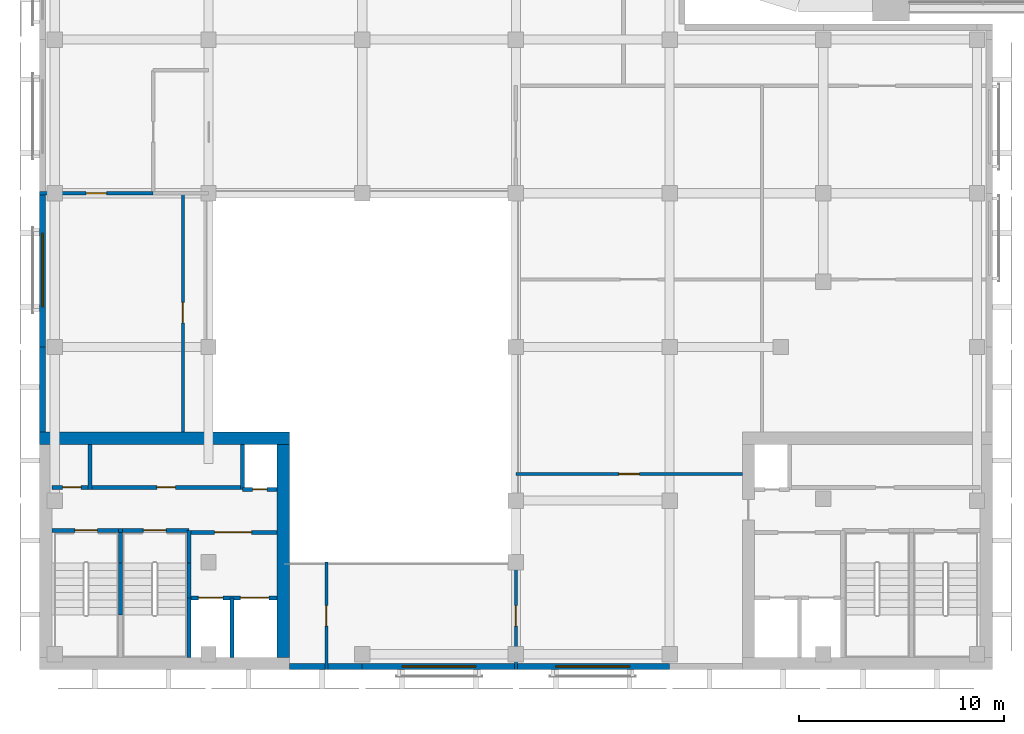
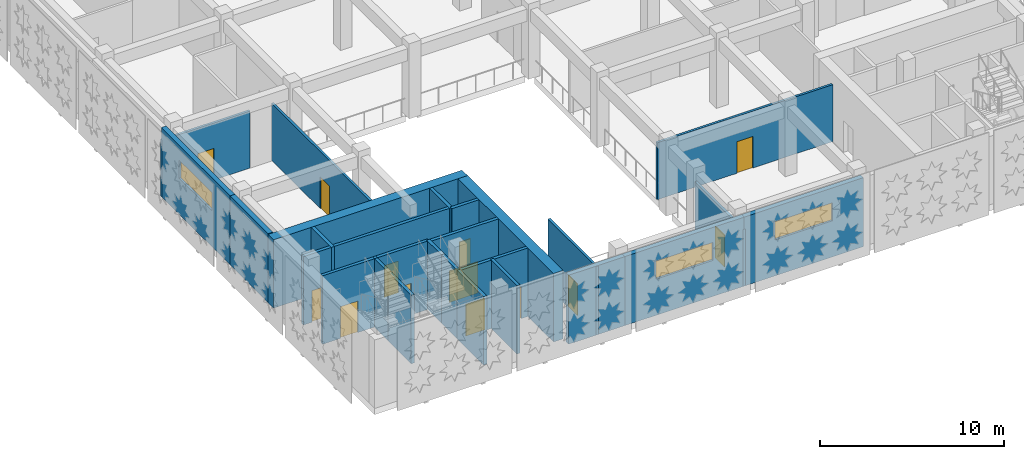
# One storey, part 14 of 40: 27 walls, 13 doors, 3 windows, 16 openings.
"""IFC4 building model written with IfcOpenShell, lengths in metres."""

from ifc_helpers import new_model, si_unit, direction, frame, frame_2d, origin, place, context, subcontext, project, spatial, rectangle, extrude, material, layer, layer_set, type_object, element, fill, save


model = new_model("IFC4")

# Units and contexts
model_context = context("Model", 3, precision=1e-05, world=origin(), true_north=direction((0.0, 1.0)))
body_context = subcontext(model_context, "Body", "Model", "MODEL_VIEW")
ifc_project = project(units=[si_unit("LENGTHUNIT", "METRE"), si_unit("AREAUNIT", "SQUARE_METRE"), si_unit("VOLUMEUNIT", "CUBIC_METRE"), si_unit("PLANEANGLEUNIT", "RADIAN"), si_unit("MASSUNIT", "GRAM", prefix="KILO")], contexts=[model_context])

# Site, building, storey
site_placement = place(None, origin())
site = spatial("IfcSite", under=ifc_project, at=site_placement, CompositionType="ELEMENT")
building_placement = place(site_placement, origin())
building = spatial("IfcBuilding", under=site, at=building_placement, Name="Tessera Arch", CompositionType="ELEMENT")
storey_placement = place(building_placement, frame((0.0, 0.0, 21.0)))
storey = spatial("IfcBuildingStorey", under=building, at=storey_placement, Name="L03", CompositionType="ELEMENT", Elevation=21.0)

# Wall
ifc_material_1 = material(Name="Gypsum board on steel stud", Category="steel")
ifc_layer_1 = layer(ifc_material_1, 0.125)
ifc_layer_set_1 = layer_set([ifc_layer_1], Name="Core partition 125 EI 60")
wall_type_1 = type_object("IfcWallType", Name="Core partition 125 EI 60", PredefinedType="PARTITIONING", material=ifc_layer_set_1)
wall_1_placement = place(storey_placement, frame((-30.090087890625, -23.75, 0.0), z_axis=(0.0, 0.0, 1.0), x_axis=(0.0, 1.0, 0.0)))
element("IfcWall", 1, at=wall_1_placement, inside=storey, type_object=wall_type_1, Name="L03 M2 partition wall 1", PredefinedType="PARTITIONING", context=body_context, shape_type="SweptSolid", body=[
    extrude(rectangle(XDim=2.199951171875, YDim=0.199951171875, at=frame_2d((1.10009765625, 0.0))), origin(), (0.0, 0.0, 1.0), 4.550048828125),
])

# Wall, opening, door
wall_2_placement = place(storey_placement, frame((-25.25, -25.85009765625, 0.0), z_axis=(0.0, 0.0, 1.0), x_axis=(1.0, 0.0, 0.0)))
wall_2 = element("IfcWall", 2, at=wall_2_placement, inside=storey, type_object=wall_type_1, Name="L03 M2 partition wall 11", PredefinedType="PARTITIONING", context=body_context, shape_type="SweptSolid", body=[
    extrude(rectangle(XDim=4.300048828125, YDim=0.199951171875, at=frame_2d((2.14990234375, 0.0))), origin(), (0.0, 0.0, 1.0), 4.550048828125),
])
opening_1_placement = place(wall_2_placement, frame((1.25, 0.0, 0.0)))
opening_1 = element("IfcOpeningElement", 3, at=opening_1_placement, cuts=wall_2, Name="Opening L03-C57", PredefinedType="OPENING", context=body_context, shape_type="SweptSolid", body=[
    extrude(rectangle(XDim=1.800048828125, YDim=2.10009765625, at=frame_2d((0.89990234375, 1.050048828125))), frame((0.0, 0.10986328125, 0.0), z_axis=(0.0, -1.0, 0.0), x_axis=(1.0, 0.0, 0.0)), (0.0, 0.0, 1.0), 0.219970703125),
])
ifc_material_2 = material(Name="Glazed steel door leaf", Category="steel")
door_type_1 = type_object("IfcDoorType", Name="Lobby double door FD30S 1800 x 2100", OperationType="DOUBLE_DOOR_SINGLE_SWING", PredefinedType="DOOR", material=ifc_material_2)
door_1_placement = place(opening_1_placement, origin())
door_1 = element("IfcDoor", 4, at=door_1_placement, inside=storey, type_object=door_type_1, Name="L03 M2 door 5 C57 type D06", OperationType="DOUBLE_DOOR_SINGLE_SWING", OverallHeight=2.10009765625, OverallWidth=1.800048828125, PredefinedType="DOOR", context=body_context, shape_type="SweptSolid", body=[
    extrude(rectangle(XDim=1.800048828125, YDim=2.10009765625, at=frame_2d((0.89990234375, 1.050048828125))), frame((0.0, 0.02490234375, 0.0), z_axis=(0.0, -1.0, 0.0), x_axis=(1.0, 0.0, 0.0)), (0.0, 0.0, 1.0), 0.050048828125),
])
fill(opening_1, door_1)

# Wall, openings, doors
wall_3_placement = place(storey_placement, frame((-31.949951171875, -23.64990234375, 0.0), z_axis=(0.0, 0.0, 1.0), x_axis=(1.0, 0.0, 0.0)))
wall_3 = element("IfcWall", 5, at=wall_3_placement, inside=storey, type_object=wall_type_1, Name="L03 M2 partition wall 15", PredefinedType="PARTITIONING", context=body_context, shape_type="SweptSolid", body=[
    extrude(rectangle(XDim=9.300048828125, YDim=0.199951171875, at=frame_2d((4.64990234375, 0.0))), origin(), (0.0, 0.0, 1.0), 4.550048828125),
])
opening_2_placement = place(wall_3_placement, frame((0.530029296875, 0.0, 0.0)))
opening_2 = element("IfcOpeningElement", 6, at=opening_2_placement, cuts=wall_3, Name="Opening L03-C59", PredefinedType="OPENING", context=body_context, shape_type="SweptSolid", body=[
    extrude(rectangle(XDim=0.89990234375, YDim=2.10009765625, at=frame_2d((0.449951171875, 1.050048828125))), frame((0.0, 0.10986328125, 0.0), z_axis=(0.0, -1.0, 0.0), x_axis=(1.0, 0.0, 0.0)), (0.0, 0.0, 1.0), 0.219970703125),
])
opening_3_placement = place(wall_3_placement, frame((5.1298828125, 0.0, 0.0)))
opening_3 = element("IfcOpeningElement", 7, at=opening_3_placement, cuts=wall_3, Name="Opening L03-C60", PredefinedType="OPENING", context=body_context, shape_type="SweptSolid", body=[
    extrude(rectangle(XDim=0.89990234375, YDim=2.10009765625, at=frame_2d((0.449951171875, 1.050048828125))), frame((0.0, 0.10986328125, 0.0), z_axis=(0.0, -1.0, 0.0), x_axis=(1.0, 0.0, 0.0)), (0.0, 0.0, 1.0), 0.219970703125),
])
ifc_material_3 = material(Name="Steel door leaf", Category="steel")
door_type_2 = type_object("IfcDoorType", Name="Store door FD30S 900 x 2100", OperationType="SINGLE_SWING_LEFT", PredefinedType="DOOR", material=ifc_material_3)
door_2_placement = place(opening_2_placement, origin())
door_2 = element("IfcDoor", 8, at=door_2_placement, inside=storey, type_object=door_type_2, Name="L03 M2 door 7 C59 type D09", OperationType="SINGLE_SWING_LEFT", OverallHeight=2.10009765625, OverallWidth=0.89990234375, PredefinedType="DOOR", context=body_context, shape_type="SweptSolid", body=[
    extrude(rectangle(XDim=0.89990234375, YDim=2.10009765625, at=frame_2d((0.449951171875, 1.050048828125))), frame((0.0, 0.02490234375, 0.0), z_axis=(0.0, -1.0, 0.0), x_axis=(1.0, 0.0, 0.0)), (0.0, 0.0, 1.0), 0.050048828125),
])
fill(opening_2, door_2)
door_3_placement = place(opening_3_placement, origin())
door_3 = element("IfcDoor", 9, at=door_3_placement, inside=storey, type_object=door_type_2, Name="L03 M2 door 8 C60 type D09", OperationType="SINGLE_SWING_RIGHT", OverallHeight=2.10009765625, OverallWidth=0.89990234375, PredefinedType="DOOR", context=body_context, shape_type="SweptSolid", body=[
    extrude(rectangle(XDim=0.89990234375, YDim=2.10009765625, at=frame_2d((0.449951171875, 1.050048828125))), frame((0.0, 0.02490234375, 0.0), z_axis=(0.0, -1.0, 0.0), x_axis=(1.0, 0.0, 0.0)), (0.0, 0.0, 1.0), 0.050048828125),
])
fill(opening_3, door_3)

# Walls
ifc_material_4 = material(Name="Concrete C70/85", Category="concrete")
ifc_layer_2 = layer(ifc_material_4, 0.60009765625)
ifc_layer_set_2 = layer_set([ifc_layer_2], Name="Core shell wall 600 C70-85")
wall_type_2 = type_object("IfcWallType", Name="Core shell wall 600 C70-85", PredefinedType="SHEAR", material=ifc_layer_set_2)
wall_4_placement = place(storey_placement, frame((-32.550048828125, -21.25, 0.0), z_axis=(0.0, 0.0, 1.0), x_axis=(1.0, 0.0, 0.0)))
element("IfcWall", 10, at=wall_4_placement, inside=storey, type_object=wall_type_2, Name="L03 M2 core wall N", PredefinedType="SHEAR", context=body_context, shape_type="SweptSolid", body=[
    extrude(rectangle(XDim=12.199951171875, YDim=0.60009765625, at=frame_2d((6.10009765625, 0.0))), origin(), (0.0, 0.0, 1.0), 4.550048828125),
])
wall_5_placement = place(storey_placement, frame((-20.64990234375, -31.949951171875, 0.0), z_axis=(0.0, 0.0, 1.0), x_axis=(0.0, 1.0, 0.0)))
element("IfcWall", 11, at=wall_5_placement, inside=storey, type_object=wall_type_2, Name="L03 M2 core wall E", PredefinedType="SHEAR", context=body_context, shape_type="SweptSolid", body=[
    extrude(rectangle(XDim=10.39990234375, YDim=0.60009765625, at=frame_2d((5.199951171875, 0.0))), origin(), (0.0, 0.0, 1.0), 4.550048828125),
])
ifc_material_5 = material(Name="Aluminium cladding pale metal anodised", Category="aluminium")
ifc_layer_3 = layer(ifc_material_5, 0.300048828125)
ifc_layer_set_3 = layer_set([ifc_layer_3], Name="Museum envelope wall pale metal")
wall_type_3 = type_object("IfcWallType", Name="Museum envelope wall pale metal", PredefinedType="SOLIDWALL", material=ifc_layer_set_3)
wall_6_placement = place(storey_placement, frame((-20.35009765625, -32.39990234375, 0.0), z_axis=(0.0, 0.0, 1.0), x_axis=(1.0, 0.0, 0.0)))
element("IfcWall", 12, at=wall_6_placement, inside=storey, type_object=wall_type_3, Name="Museum external wall pale metal mashrabiya pattern", PredefinedType="SOLIDWALL", context=body_context, shape_type="SweptSolid", body=[
    extrude(rectangle(XDim=3.550048828125, YDim=0.300048828125, at=frame_2d((1.77490234375, 0.0))), origin(), (0.0, 0.0, 1.0), 4.590087890625),
])

# Wall, opening, window
wall_7_placement = place(storey_placement, frame((-16.800048828125, -32.39990234375, 0.0), z_axis=(0.0, 0.0, 1.0), x_axis=(1.0, 0.0, 0.0)))
wall_7 = element("IfcWall", 13, at=wall_7_placement, inside=storey, type_object=wall_type_3, Name="Museum external wall pale metal mashrabiya pattern", PredefinedType="SOLIDWALL", context=body_context, shape_type="SweptSolid", body=[
    extrude(rectangle(XDim=7.5, YDim=0.300048828125, at=frame_2d((3.75, 0.0))), origin(), (0.0, 0.0, 1.0), 4.590087890625),
])
opening_4_placement = place(wall_7_placement, frame((1.949951171875, 0.0, 2.39990234375)))
opening_4 = element("IfcOpeningElement", 14, at=opening_4_placement, cuts=wall_7, Name="Opening L03-MV40", PredefinedType="OPENING", context=body_context, shape_type="SweptSolid", body=[
    extrude(rectangle(XDim=3.60009765625, YDim=1.199951171875, at=frame_2d((1.800048828125, 0.60009765625))), frame((0.0, 0.159912109375, 0.0), z_axis=(0.0, -1.0, 0.0), x_axis=(1.0, 0.0, 0.0)), (0.0, 0.0, 1.0), 0.320068359375),
])
ifc_material_6 = material(Name="Clear low-e glass in aluminium frame", Category="aluminium")
window_type = type_object("IfcWindowType", Name="Museum clerestory window", PartitioningType="SINGLE_PANEL", PredefinedType="WINDOW", material=ifc_material_6)
window_1_placement = place(opening_4_placement, origin())
window_1 = element("IfcWindow", 15, at=window_1_placement, inside=storey, type_object=window_type, Name="Museum window L03 1-4", OverallHeight=1.199951171875, OverallWidth=3.60009765625, PartitioningType="SINGLE_PANEL", PredefinedType="WINDOW", context=body_context, shape_type="SweptSolid", body=[
    extrude(rectangle(XDim=3.60009765625, YDim=1.199951171875, at=frame_2d((1.800048828125, 0.60009765625))), frame((0.0, 0.030029296875, 0.0), z_axis=(0.0, -1.0, 0.0), x_axis=(1.0, 0.0, 0.0)), (0.0, 0.0, 1.0), 0.06005859375),
])
fill(opening_4, window_1)

wall_8_placement = place(storey_placement, frame((-9.300048828125, -32.39990234375, 0.0), z_axis=(0.0, 0.0, 1.0), x_axis=(1.0, 0.0, 0.0)))
wall_8 = element("IfcWall", 16, at=wall_8_placement, inside=storey, type_object=wall_type_3, Name="Museum external wall pale metal mashrabiya pattern", PredefinedType="SOLIDWALL", context=body_context, shape_type="SweptSolid", body=[
    extrude(rectangle(XDim=7.5, YDim=0.300048828125, at=frame_2d((3.75, 0.0))), origin(), (0.0, 0.0, 1.0), 4.590087890625),
])
opening_5_placement = place(wall_8_placement, frame((1.949951171875, 0.0, 2.39990234375)))
opening_5 = element("IfcOpeningElement", 17, at=opening_5_placement, cuts=wall_8, Name="Opening L03-MV41", PredefinedType="OPENING", context=body_context, shape_type="SweptSolid", body=[
    extrude(rectangle(XDim=3.60009765625, YDim=1.199951171875, at=frame_2d((1.800048828125, 0.60009765625))), frame((0.0, 0.159912109375, 0.0), z_axis=(0.0, -1.0, 0.0), x_axis=(1.0, 0.0, 0.0)), (0.0, 0.0, 1.0), 0.320068359375),
])
window_2_placement = place(opening_5_placement, origin())
window_2 = element("IfcWindow", 18, at=window_2_placement, inside=storey, type_object=window_type, Name="Museum window L03 1-5", OverallHeight=1.199951171875, OverallWidth=3.60009765625, PartitioningType="SINGLE_PANEL", PredefinedType="WINDOW", context=body_context, shape_type="SweptSolid", body=[
    extrude(rectangle(XDim=3.60009765625, YDim=1.199951171875, at=frame_2d((1.800048828125, 0.60009765625))), frame((0.0, 0.030029296875, 0.0), z_axis=(0.0, -1.0, 0.0), x_axis=(1.0, 0.0, 0.0)), (0.0, 0.0, 1.0), 0.06005859375),
])
fill(opening_5, window_2)

wall_9_placement = place(storey_placement, frame((-32.39990234375, -9.300048828125, 0.0), z_axis=(0.0, 0.0, 1.0), x_axis=(0.0, -1.0, 0.0)))
wall_9 = element("IfcWall", 19, at=wall_9_placement, inside=storey, type_object=wall_type_3, Name="Museum external wall pale metal mashrabiya pattern", PredefinedType="SOLIDWALL", context=body_context, shape_type="SweptSolid", body=[
    extrude(rectangle(XDim=7.5, YDim=0.300048828125, at=frame_2d((3.75, 0.0))), origin(), (0.0, 0.0, 1.0), 4.590087890625),
])
opening_6_placement = place(wall_9_placement, frame((1.949951171875, 0.0, 2.39990234375)))
opening_6 = element("IfcOpeningElement", 20, at=opening_6_placement, cuts=wall_9, Name="Opening L03-MV53", PredefinedType="OPENING", context=body_context, shape_type="SweptSolid", body=[
    extrude(rectangle(XDim=3.60009765625, YDim=1.199951171875, at=frame_2d((1.800048828125, 0.60009765625))), frame((0.0, 0.159912109375, 0.0), z_axis=(0.0, -1.0, 0.0), x_axis=(1.0, 0.0, 0.0)), (0.0, 0.0, 1.0), 0.320068359375),
])
window_3_placement = place(opening_6_placement, origin())
window_3 = element("IfcWindow", 21, at=window_3_placement, inside=storey, type_object=window_type, Name="Museum window L03 6-11", OverallHeight=1.199951171875, OverallWidth=3.60009765625, PartitioningType="SINGLE_PANEL", PredefinedType="WINDOW", context=body_context, shape_type="SweptSolid", body=[
    extrude(rectangle(XDim=3.60009765625, YDim=1.199951171875, at=frame_2d((1.800048828125, 0.60009765625))), frame((0.0, 0.030029296875, 0.0), z_axis=(0.0, -1.0, 0.0), x_axis=(1.0, 0.0, 0.0)), (0.0, 0.0, 1.0), 0.06005859375),
])
fill(opening_6, window_3)

# Wall
wall_10_placement = place(storey_placement, frame((-32.39990234375, -16.800048828125, 0.0), z_axis=(0.0, 0.0, 1.0), x_axis=(0.0, -1.0, 0.0)))
element("IfcWall", 22, at=wall_10_placement, inside=storey, type_object=wall_type_3, Name="Museum external wall pale metal mashrabiya pattern", PredefinedType="SOLIDWALL", context=body_context, shape_type="SweptSolid", body=[
    extrude(rectangle(XDim=4.14990234375, YDim=0.300048828125, at=frame_2d((2.074951171875, 0.0))), origin(), (0.0, 0.0, 1.0), 4.590087890625),
])

# Wall, opening, door
ifc_material_7 = material(Name="Gypsum board on steel stud", Category="steel")
ifc_layer_4 = layer(ifc_material_7, 0.14990234375)
ifc_layer_set_4 = layer_set([ifc_layer_4], Name="Partition 150 EI 30")
wall_type_4 = type_object("IfcWallType", Name="Partition 150 EI 30", PredefinedType="PARTITIONING", material=ifc_layer_set_4)
wall_11_placement = place(storey_placement, frame((-9.300048828125, -23.0, 0.0), z_axis=(0.0, 0.0, 1.0), x_axis=(1.0, 0.0, 0.0)))
wall_11 = element("IfcWall", 23, at=wall_11_placement, inside=storey, type_object=wall_type_4, Name="L03 partition 32", PredefinedType="PARTITIONING", context=body_context, shape_type="SweptSolid", body=[
    extrude(rectangle(XDim=11.050048828125, YDim=0.14990234375, at=frame_2d((5.52490234375, 0.0))), origin(), (0.0, 0.0, 1.0), 3.7900390625),
])
opening_7_placement = place(wall_11_placement, frame((5.02490234375, 0.0, 0.0)))
opening_7 = element("IfcOpeningElement", 24, at=opening_7_placement, cuts=wall_11, Name="Opening L03-D022", PredefinedType="OPENING", context=body_context, shape_type="SweptSolid", body=[
    extrude(rectangle(XDim=1.0, YDim=2.10009765625, at=frame_2d((0.5, 1.050048828125))), frame((0.0, 0.0849609375, 0.0), z_axis=(0.0, -1.0, 0.0), x_axis=(1.0, 0.0, 0.0)), (0.0, 0.0, 1.0), 0.169921875),
])
ifc_material_8 = material(Name="Fire-rated door leaf")
door_type_3 = type_object("IfcDoorType", Name="Entrance door FD30S 1000 x 2100", OperationType="SINGLE_SWING_LEFT", PredefinedType="DOOR", material=ifc_material_8)
door_4_placement = place(opening_7_placement, origin())
door_4 = element("IfcDoor", 25, at=door_4_placement, inside=storey, type_object=door_type_3, Name="L03 door D022 type D03", OperationType="SINGLE_SWING_LEFT", OverallHeight=2.10009765625, OverallWidth=1.0, PredefinedType="DOOR", context=body_context, shape_type="SweptSolid", body=[
    extrude(rectangle(XDim=1.0, YDim=2.10009765625, at=frame_2d((0.5, 1.050048828125))), frame((0.0, 0.02490234375, 0.0), z_axis=(0.0, -1.0, 0.0), x_axis=(1.0, 0.0, 0.0)), (0.0, 0.0, 1.0), 0.050048828125),
])
fill(opening_7, door_4)

wall_12_placement = place(storey_placement, frame((-32.550048828125, -9.300048828125, 0.0), z_axis=(0.0, 0.0, 1.0), x_axis=(1.0, 0.0, 0.0)))
wall_12 = element("IfcWall", 26, at=wall_12_placement, inside=storey, type_object=wall_type_4, Name="L03 partition 33", PredefinedType="PARTITIONING", context=body_context, shape_type="SweptSolid", body=[
    extrude(rectangle(XDim=5.550048828125, YDim=0.14990234375, at=frame_2d((2.77490234375, 0.0))), origin(), (0.0, 0.0, 1.0), 3.7900390625),
])
opening_8_placement = place(wall_12_placement, frame((2.27490234375, 0.0, 0.0)))
opening_8 = element("IfcOpeningElement", 27, at=opening_8_placement, cuts=wall_12, Name="Opening L03-D030", PredefinedType="OPENING", context=body_context, shape_type="SweptSolid", body=[
    extrude(rectangle(XDim=1.0, YDim=2.10009765625, at=frame_2d((0.5, 1.050048828125))), frame((0.0, 0.0849609375, 0.0), z_axis=(0.0, -1.0, 0.0), x_axis=(1.0, 0.0, 0.0)), (0.0, 0.0, 1.0), 0.169921875),
])
door_5_placement = place(opening_8_placement, origin())
door_5 = element("IfcDoor", 28, at=door_5_placement, inside=storey, type_object=door_type_3, Name="L03 door D030 type D03", OperationType="SINGLE_SWING_LEFT", OverallHeight=2.10009765625, OverallWidth=1.0, PredefinedType="DOOR", context=body_context, shape_type="SweptSolid", body=[
    extrude(rectangle(XDim=1.0, YDim=2.10009765625, at=frame_2d((0.5, 1.050048828125))), frame((0.0, 0.02490234375, 0.0), z_axis=(0.0, -1.0, 0.0), x_axis=(1.0, 0.0, 0.0)), (0.0, 0.0, 1.0), 0.050048828125),
])
fill(opening_8, door_5)

wall_13_placement = place(storey_placement, frame((-25.550048828125, -20.949951171875, 0.0), z_axis=(0.0, 0.0, 1.0), x_axis=(0.0, 1.0, 0.0)))
wall_13 = element("IfcWall", 29, at=wall_13_placement, inside=storey, type_object=wall_type_4, Name="L03 partition 36", PredefinedType="PARTITIONING", context=body_context, shape_type="SweptSolid", body=[
    extrude(rectangle(XDim=11.64990234375, YDim=0.14990234375, at=frame_2d((5.824951171875, 0.0))), origin(), (0.0, 0.0, 1.0), 3.7900390625),
])
opening_9_placement = place(wall_13_placement, frame((5.324951171875, 0.0, 0.0)))
opening_9 = element("IfcOpeningElement", 30, at=opening_9_placement, cuts=wall_13, Name="Opening L03-D031", PredefinedType="OPENING", context=body_context, shape_type="SweptSolid", body=[
    extrude(rectangle(XDim=1.0, YDim=2.10009765625, at=frame_2d((0.5, 1.050048828125))), frame((0.0, 0.0849609375, 0.0), z_axis=(0.0, -1.0, 0.0), x_axis=(1.0, 0.0, 0.0)), (0.0, 0.0, 1.0), 0.169921875),
])
door_6_placement = place(opening_9_placement, origin())
door_6 = element("IfcDoor", 31, at=door_6_placement, inside=storey, type_object=door_type_3, Name="L03 door D031 type D03", OperationType="SINGLE_SWING_LEFT", OverallHeight=2.10009765625, OverallWidth=1.0, PredefinedType="DOOR", context=body_context, shape_type="SweptSolid", body=[
    extrude(rectangle(XDim=1.0, YDim=2.10009765625, at=frame_2d((0.5, 1.050048828125))), frame((0.0, 0.02490234375, 0.0), z_axis=(0.0, -1.0, 0.0), x_axis=(1.0, 0.0, 0.0)), (0.0, 0.0, 1.0), 0.050048828125),
])
fill(opening_9, door_6)

wall_14_placement = place(storey_placement, frame((-18.550048828125, -32.550048828125, 0.0), z_axis=(0.0, 0.0, 1.0), x_axis=(0.0, 1.0, 0.0)))
wall_14 = element("IfcWall", 32, at=wall_14_placement, inside=storey, type_object=wall_type_4, Name="L03 partition 37", PredefinedType="PARTITIONING", context=body_context, shape_type="SweptSolid", body=[
    extrude(rectangle(XDim=5.25, YDim=0.14990234375, at=frame_2d((2.625, 0.0))), origin(), (0.0, 0.0, 1.0), 4.550048828125),
])
opening_10_placement = place(wall_14_placement, frame((2.125, 0.0, 0.0)))
opening_10 = element("IfcOpeningElement", 33, at=opening_10_placement, cuts=wall_14, Name="Opening L03-D033", PredefinedType="OPENING", context=body_context, shape_type="SweptSolid", body=[
    extrude(rectangle(XDim=1.0, YDim=2.10009765625, at=frame_2d((0.5, 1.050048828125))), frame((0.0, 0.0849609375, 0.0), z_axis=(0.0, -1.0, 0.0), x_axis=(1.0, 0.0, 0.0)), (0.0, 0.0, 1.0), 0.169921875),
])
door_7_placement = place(opening_10_placement, origin())
door_7 = element("IfcDoor", 34, at=door_7_placement, inside=storey, type_object=door_type_3, Name="L03 door D033 type D03", OperationType="SINGLE_SWING_RIGHT", OverallHeight=2.10009765625, OverallWidth=1.0, PredefinedType="DOOR", context=body_context, shape_type="SweptSolid", body=[
    extrude(rectangle(XDim=1.0, YDim=2.10009765625, at=frame_2d((0.5, 1.050048828125))), frame((0.0, 0.02490234375, 0.0), z_axis=(0.0, -1.0, 0.0), x_axis=(1.0, 0.0, 0.0)), (0.0, 0.0, 1.0), 0.050048828125),
])
fill(opening_10, door_7)

wall_15_placement = place(storey_placement, frame((-9.300048828125, -32.550048828125, 0.0), z_axis=(0.0, 0.0, 1.0), x_axis=(0.0, 1.0, 0.0)))
wall_15 = element("IfcWall", 35, at=wall_15_placement, inside=storey, type_object=wall_type_4, Name="L03 partition 38", PredefinedType="PARTITIONING", context=body_context, shape_type="SweptSolid", body=[
    extrude(rectangle(XDim=5.25, YDim=0.14990234375, at=frame_2d((2.625, 0.0))), origin(), (0.0, 0.0, 1.0), 3.7900390625),
])
opening_11_placement = place(wall_15_placement, frame((2.125, 0.0, 0.0)))
opening_11 = element("IfcOpeningElement", 36, at=opening_11_placement, cuts=wall_15, Name="Opening L03-D029", PredefinedType="OPENING", context=body_context, shape_type="SweptSolid", body=[
    extrude(rectangle(XDim=1.0, YDim=2.10009765625, at=frame_2d((0.5, 1.050048828125))), frame((0.0, 0.0849609375, 0.0), z_axis=(0.0, -1.0, 0.0), x_axis=(1.0, 0.0, 0.0)), (0.0, 0.0, 1.0), 0.169921875),
])
door_8_placement = place(opening_11_placement, origin())
door_8 = element("IfcDoor", 37, at=door_8_placement, inside=storey, type_object=door_type_3, Name="L03 door D029 type D03", OperationType="SINGLE_SWING_RIGHT", OverallHeight=2.10009765625, OverallWidth=1.0, PredefinedType="DOOR", context=body_context, shape_type="SweptSolid", body=[
    extrude(rectangle(XDim=1.0, YDim=2.10009765625, at=frame_2d((0.5, 1.050048828125))), frame((0.0, 0.02490234375, 0.0), z_axis=(0.0, -1.0, 0.0), x_axis=(1.0, 0.0, 0.0)), (0.0, 0.0, 1.0), 0.050048828125),
])
fill(opening_11, door_8)

# Walls
ifc_material_9 = material(Name="Concrete C40/50", Category="concrete")
ifc_layer_5 = layer(ifc_material_9, 0.199951171875)
ifc_layer_set_5 = layer_set([ifc_layer_5], Name="Shaft wall 200 EI 120")
wall_type_5 = type_object("IfcWallType", Name="Shaft wall 200 EI 120", PredefinedType="SOLIDWALL", material=ifc_layer_set_5)
for number, where, z_axis, x_axis, name in (
    (38, (-25.25, -31.949951171875, 0.0), (0.0, 0.0, 1.0), (0.0, 1.0, 0.0), "L03 M2 shaft wall 5"),
    (39, (-23.14990234375, -31.949951171875, 0.0), (0.0, 0.0, 1.0), (0.0, 1.0, 0.0), "L03 M2 shaft wall 8"),
):
    element("IfcWall", number, at=place(storey_placement, frame(where, z_axis=z_axis, x_axis=x_axis)), inside=storey, type_object=wall_type_5, Name=name, PredefinedType="SOLIDWALL", context=body_context, shape_type="SweptSolid", body=[
        extrude(rectangle(XDim=2.89990234375, YDim=0.199951171875, at=frame_2d((1.449951171875, 0.0))), origin(), (0.0, 0.0, 1.0), 4.550048828125),
    ])
wall_16_placement = place(storey_placement, frame((-22.64990234375, -23.75, 0.0), z_axis=(0.0, 0.0, 1.0), x_axis=(0.0, 1.0, 0.0)))
element("IfcWall", 40, at=wall_16_placement, inside=storey, type_object=wall_type_5, Name="L03 M2 shaft wall 9", PredefinedType="SOLIDWALL", context=body_context, shape_type="SweptSolid", body=[
    extrude(rectangle(XDim=2.199951171875, YDim=0.199951171875, at=frame_2d((1.10009765625, 0.0))), origin(), (0.0, 0.0, 1.0), 4.550048828125),
])

# Wall, openings, doors
wall_17_placement = place(storey_placement, frame((-25.25, -29.050048828125, 0.0), z_axis=(0.0, 0.0, 1.0), x_axis=(1.0, 0.0, 0.0)))
wall_17 = element("IfcWall", 41, at=wall_17_placement, inside=storey, type_object=wall_type_5, Name="L03 M2 shaft wall 10", PredefinedType="SOLIDWALL", context=body_context, shape_type="SweptSolid", body=[
    extrude(rectangle(XDim=4.300048828125, YDim=0.199951171875, at=frame_2d((2.14990234375, 0.0))), origin(), (0.0, 0.0, 1.0), 4.550048828125),
])
opening_12_placement = place(wall_17_placement, frame((0.449951171875, 0.0, 0.0)))
opening_12 = element("IfcOpeningElement", 42, at=opening_12_placement, cuts=wall_17, Name="Opening L03-C53", PredefinedType="OPENING", context=body_context, shape_type="SweptSolid", body=[
    extrude(rectangle(XDim=1.199951171875, YDim=2.10009765625, at=frame_2d((0.60009765625, 1.050048828125))), frame((0.0, 0.10986328125, 0.0), z_axis=(0.0, -1.0, 0.0), x_axis=(1.0, 0.0, 0.0)), (0.0, 0.0, 1.0), 0.219970703125),
])
opening_13_placement = place(wall_17_placement, frame((2.5, 0.0, 0.0)))
opening_13 = element("IfcOpeningElement", 43, at=opening_13_placement, cuts=wall_17, Name="Opening L03-C54", PredefinedType="OPENING", context=body_context, shape_type="SweptSolid", body=[
    extrude(rectangle(XDim=1.39990234375, YDim=2.10009765625, at=frame_2d((0.699951171875, 1.050048828125))), frame((0.0, 0.10986328125, 0.0), z_axis=(0.0, -1.0, 0.0), x_axis=(1.0, 0.0, 0.0)), (0.0, 0.0, 1.0), 0.219970703125),
])
ifc_material_10 = material(Name="Stainless steel AISI 304", Category="steel")
door_type_4 = type_object("IfcDoorType", Name="Sliding landing door 1200 x 2100", OperationType="SLIDING_TO_LEFT", PredefinedType="DOOR", material=ifc_material_10)
door_9_placement = place(opening_12_placement, origin())
door_9 = element("IfcDoor", 44, at=door_9_placement, inside=storey, type_object=door_type_4, Name="L03 ML2 lift landing door C53 type LD", OperationType="SLIDING_TO_LEFT", OverallHeight=2.10009765625, OverallWidth=1.199951171875, PredefinedType="DOOR", context=body_context, shape_type="SweptSolid", body=[
    extrude(rectangle(XDim=1.199951171875, YDim=2.10009765625, at=frame_2d((0.60009765625, 1.050048828125))), frame((0.0, 0.02490234375, 0.0), z_axis=(0.0, -1.0, 0.0), x_axis=(1.0, 0.0, 0.0)), (0.0, 0.0, 1.0), 0.050048828125),
])
fill(opening_12, door_9)
ifc_material_11 = material(Name="Stainless steel AISI 304", Category="steel")
door_type_5 = type_object("IfcDoorType", Name="Sliding landing door 1400 x 2100", OperationType="SLIDING_TO_LEFT", PredefinedType="DOOR", material=ifc_material_11)
door_10_placement = place(opening_13_placement, origin())
door_10 = element("IfcDoor", 45, at=door_10_placement, inside=storey, type_object=door_type_5, Name="L03 ML3 lift landing door C54 type LDW", OperationType="SLIDING_TO_LEFT", OverallHeight=2.10009765625, OverallWidth=1.39990234375, PredefinedType="DOOR", context=body_context, shape_type="SweptSolid", body=[
    extrude(rectangle(XDim=1.39990234375, YDim=2.10009765625, at=frame_2d((0.699951171875, 1.050048828125))), frame((0.0, 0.02490234375, 0.0), z_axis=(0.0, -1.0, 0.0), x_axis=(1.0, 0.0, 0.0)), (0.0, 0.0, 1.0), 0.050048828125),
])
fill(opening_13, door_10)

# Wall, opening, door
wall_18_placement = place(storey_placement, frame((-22.64990234375, -23.75, 0.0), z_axis=(0.0, 0.0, 1.0), x_axis=(1.0, 0.0, 0.0)))
wall_18 = element("IfcWall", 46, at=wall_18_placement, inside=storey, type_object=wall_type_5, Name="L03 M2 shaft wall 16", PredefinedType="SOLIDWALL", context=body_context, shape_type="SweptSolid", body=[
    extrude(rectangle(XDim=1.699951171875, YDim=0.199951171875, at=frame_2d((0.85009765625, 0.0))), origin(), (0.0, 0.0, 1.0), 4.550048828125),
])
opening_14_placement = place(wall_18_placement, frame((0.5, 0.0, 0.0)))
opening_14 = element("IfcOpeningElement", 47, at=opening_14_placement, cuts=wall_18, Name="Opening L03-C58", PredefinedType="OPENING", context=body_context, shape_type="SweptSolid", body=[
    extrude(rectangle(XDim=0.699951171875, YDim=2.10009765625, at=frame_2d((0.35009765625, 1.050048828125))), frame((0.0, 0.10986328125, 0.0), z_axis=(0.0, -1.0, 0.0), x_axis=(1.0, 0.0, 0.0)), (0.0, 0.0, 1.0), 0.219970703125),
])
ifc_material_12 = material(Name="Steel door leaf", Category="steel")
door_type_6 = type_object("IfcDoorType", Name="Service shaft door FD60 700 x 2100", OperationType="SINGLE_SWING_LEFT", PredefinedType="DOOR", material=ifc_material_12)
door_11_placement = place(opening_14_placement, origin())
door_11 = element("IfcDoor", 48, at=door_11_placement, inside=storey, type_object=door_type_6, Name="L03 M2 door 6 C58 type D07", OperationType="SINGLE_SWING_RIGHT", OverallHeight=2.10009765625, OverallWidth=0.699951171875, PredefinedType="DOOR", context=body_context, shape_type="SweptSolid", body=[
    extrude(rectangle(XDim=0.699951171875, YDim=2.10009765625, at=frame_2d((0.35009765625, 1.050048828125))), frame((0.0, 0.02490234375, 0.0), z_axis=(0.0, -1.0, 0.0), x_axis=(1.0, 0.0, 0.0)), (0.0, 0.0, 1.0), 0.050048828125),
])
fill(opening_14, door_11)

# Walls
ifc_material_13 = material(Name="Concrete C40/50", Category="concrete")
ifc_layer_6 = layer(ifc_material_13, 0.199951171875)
ifc_layer_set_6 = layer_set([ifc_layer_6], Name="Stair well wall 200 REI 180")
wall_type_6 = type_object("IfcWallType", Name="Stair well wall 200 REI 180", PredefinedType="SOLIDWALL", material=ifc_layer_set_6)
wall_19_placement = place(storey_placement, frame((-28.60009765625, -29.8701171875, 0.0), z_axis=(0.0, 0.0, 1.0), x_axis=(0.0, 1.0, 0.0)))
element("IfcWall", 49, at=wall_19_placement, inside=storey, type_object=wall_type_6, Name="L03 M2 shaft wall 3", PredefinedType="SOLIDWALL", context=body_context, shape_type="SweptSolid", body=[
    extrude(rectangle(XDim=2.52001953125, YDim=0.199951171875, at=frame_2d((1.260009765625, 0.0))), origin(), (0.0, 0.0, 1.0), 4.550048828125),
])
wall_20_placement = place(storey_placement, frame((-28.60009765625, -27.35009765625, 0.0), z_axis=(0.0, 0.0, 1.0), x_axis=(0.0, 1.0, 0.0)))
element("IfcWall", 50, at=wall_20_placement, inside=storey, type_object=wall_type_6, Name="L03 M2 shaft wall 4", PredefinedType="SOLIDWALL", context=body_context, shape_type="SweptSolid", body=[
    extrude(rectangle(XDim=1.60009765625, YDim=0.199951171875, at=frame_2d((0.800048828125, 0.0))), origin(), (0.0, 0.0, 1.0), 4.550048828125),
])
wall_21_placement = place(storey_placement, frame((-25.25, -29.050048828125, 0.0), z_axis=(0.0, 0.0, 1.0), x_axis=(0.0, 1.0, 0.0)))
element("IfcWall", 51, at=wall_21_placement, inside=storey, type_object=wall_type_6, Name="L03 M2 shaft wall 6", PredefinedType="SOLIDWALL", context=body_context, shape_type="SweptSolid", body=[
    extrude(rectangle(XDim=1.699951171875, YDim=0.199951171875, at=frame_2d((0.85009765625, 0.0))), origin(), (0.0, 0.0, 1.0), 4.550048828125),
])
wall_22_placement = place(storey_placement, frame((-25.25, -27.35009765625, 0.0), z_axis=(0.0, 0.0, 1.0), x_axis=(0.0, 1.0, 0.0)))
element("IfcWall", 52, at=wall_22_placement, inside=storey, type_object=wall_type_6, Name="L03 M2 shaft wall 7", PredefinedType="SOLIDWALL", context=body_context, shape_type="SweptSolid", body=[
    extrude(rectangle(XDim=1.60009765625, YDim=0.199951171875, at=frame_2d((0.800048828125, 0.0))), origin(), (0.0, 0.0, 1.0), 4.550048828125),
])

# Wall, opening, door
wall_23_placement = place(storey_placement, frame((-31.949951171875, -25.75, 0.0), z_axis=(0.0, 0.0, 1.0), x_axis=(1.0, 0.0, 0.0)))
wall_23 = element("IfcWall", 53, at=wall_23_placement, inside=storey, type_object=wall_type_6, Name="L03 M2 shaft wall 12", PredefinedType="SOLIDWALL", context=body_context, shape_type="SweptSolid", body=[
    extrude(rectangle(XDim=3.25, YDim=0.199951171875, at=frame_2d((1.625, 0.0))), origin(), (0.0, 0.0, 1.0), 4.550048828125),
])
opening_15_placement = place(wall_23_placement, frame((1.125, 0.0, 0.0)))
opening_15 = element("IfcOpeningElement", 54, at=opening_15_placement, cuts=wall_23, Name="Opening L03-C55", PredefinedType="OPENING", context=body_context, shape_type="SweptSolid", body=[
    extrude(rectangle(XDim=1.10009765625, YDim=2.10009765625, at=frame_2d((0.550048828125, 1.050048828125))), frame((0.0, 0.10986328125, 0.0), z_axis=(0.0, -1.0, 0.0), x_axis=(1.0, 0.0, 0.0)), (0.0, 0.0, 1.0), 0.219970703125),
])
ifc_material_14 = material(Name="Steel door leaf", Category="steel")
door_type_7 = type_object("IfcDoorType", Name="Stair door FD60 1100 x 2100", OperationType="SINGLE_SWING_LEFT", PredefinedType="DOOR", material=ifc_material_14)
door_12_placement = place(opening_15_placement, origin())
door_12 = element("IfcDoor", 55, at=door_12_placement, inside=storey, type_object=door_type_7, Name="L03 M2 door 3 C55 type D05", OperationType="SINGLE_SWING_RIGHT", OverallHeight=2.10009765625, OverallWidth=1.10009765625, PredefinedType="DOOR", context=body_context, shape_type="SweptSolid", body=[
    extrude(rectangle(XDim=1.10009765625, YDim=2.10009765625, at=frame_2d((0.550048828125, 1.050048828125))), frame((0.0, 0.02490234375, 0.0), z_axis=(0.0, -1.0, 0.0), x_axis=(1.0, 0.0, 0.0)), (0.0, 0.0, 1.0), 0.050048828125),
])
fill(opening_15, door_12)

# Wall
wall_24_placement = place(storey_placement, frame((-28.699951171875, -25.75, 0.0), z_axis=(0.0, 0.0, 1.0), x_axis=(1.0, 0.0, 0.0)))
element("IfcWall", 56, at=wall_24_placement, inside=storey, type_object=wall_type_6, Name="L03 M2 shaft wall 13", PredefinedType="SOLIDWALL", context=body_context, shape_type="SweptSolid", body=[
    extrude(rectangle(XDim=0.199951171875, YDim=0.199951171875, at=frame_2d((0.10009765625, 0.0))), origin(), (0.0, 0.0, 1.0), 4.550048828125),
])

# Wall, opening, door
wall_25_placement = place(storey_placement, frame((-28.5, -25.75, 0.0), z_axis=(0.0, 0.0, 1.0), x_axis=(1.0, 0.0, 0.0)))
wall_25 = element("IfcWall", 57, at=wall_25_placement, inside=storey, type_object=wall_type_6, Name="L03 M2 shaft wall 14", PredefinedType="SOLIDWALL", context=body_context, shape_type="SweptSolid", body=[
    extrude(rectangle(XDim=3.25, YDim=0.199951171875, at=frame_2d((1.625, 0.0))), origin(), (0.0, 0.0, 1.0), 4.550048828125),
])
opening_16_placement = place(wall_25_placement, frame((1.02490234375, 0.0, 0.0)))
opening_16 = element("IfcOpeningElement", 58, at=opening_16_placement, cuts=wall_25, Name="Opening L03-C56", PredefinedType="OPENING", context=body_context, shape_type="SweptSolid", body=[
    extrude(rectangle(XDim=1.10009765625, YDim=2.10009765625, at=frame_2d((0.550048828125, 1.050048828125))), frame((0.0, 0.10986328125, 0.0), z_axis=(0.0, -1.0, 0.0), x_axis=(1.0, 0.0, 0.0)), (0.0, 0.0, 1.0), 0.219970703125),
])
door_13_placement = place(opening_16_placement, origin())
door_13 = element("IfcDoor", 59, at=door_13_placement, inside=storey, type_object=door_type_7, Name="L03 M2 door 4 C56 type D05", OperationType="SINGLE_SWING_LEFT", OverallHeight=2.10009765625, OverallWidth=1.10009765625, PredefinedType="DOOR", context=body_context, shape_type="SweptSolid", body=[
    extrude(rectangle(XDim=1.10009765625, YDim=2.10009765625, at=frame_2d((0.550048828125, 1.050048828125))), frame((0.0, 0.02490234375, 0.0), z_axis=(0.0, -1.0, 0.0), x_axis=(1.0, 0.0, 0.0)), (0.0, 0.0, 1.0), 0.050048828125),
])
fill(opening_16, door_13)

save(model, "model.ifc")
